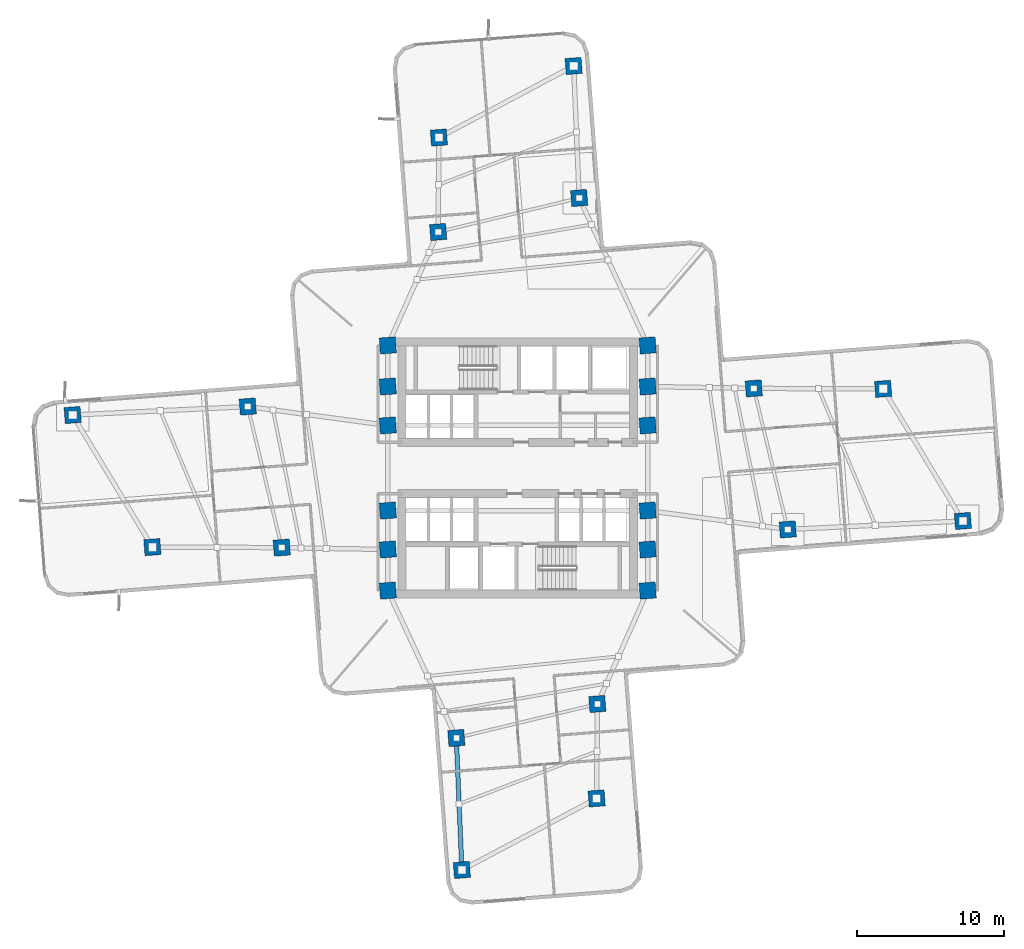
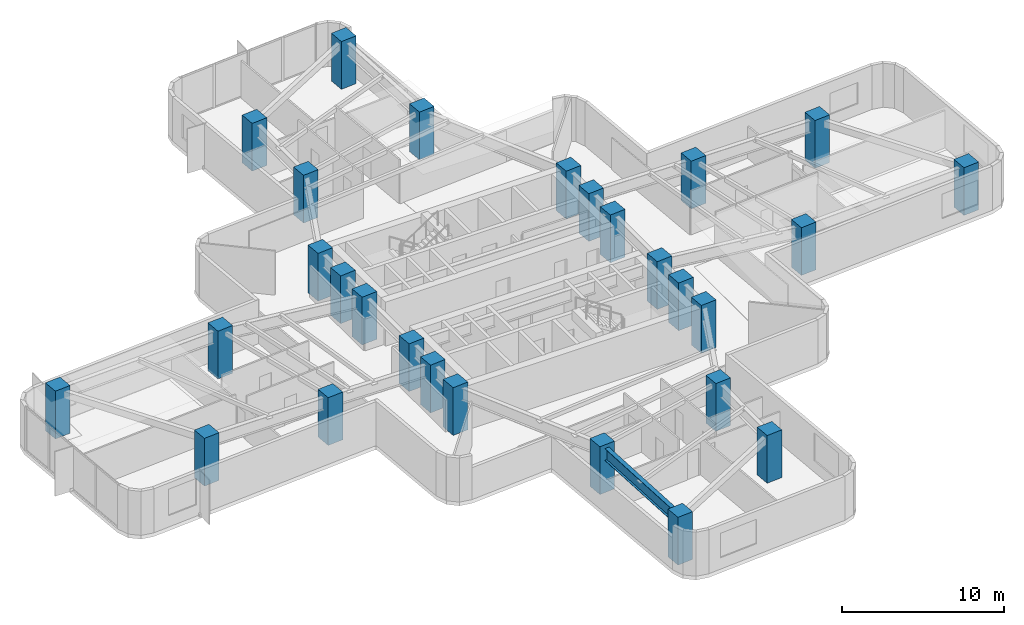
# One storey, part 1 of 15: 28 columns, 1 beam.
"""IFC4 building model written with IfcOpenShell, lengths in metres."""

import ifcopenshell
import ifcopenshell.guid

model = None  # the IFC model being written
_history = None  # IfcOwnerHistory: only IFC2X3 demands one
_inside = {}  # id of a spatial element -> (the spatial element, [elements in it])
_under = {}  # id of a project, library or spatial element -> (it, [spatial elements below it])
_declared = {}  # id of a project -> (the project, [libraries it declares])
_typed = {}  # id of a type object -> (the type object, [elements of that type])
_made_of = {}  # id of a material, layer set ... -> (it, [elements and type objects made of it])


def new_model(schema):
    """Start an empty IFC model of exactly this schema.

    Asked for "IFC4X3", IfcOpenShell would pick the latest addendum, in which some entities
    have other attributes; the version numbers below select the first issue.
    IFC2X3 requires an IfcOwnerHistory on every rooted entity: one is made here for all.
    """
    global model, _history
    if schema == "IFC4X3":
        model = ifcopenshell.file(schema_version=(4, 3, 0, 0))
    else:
        model = ifcopenshell.file(schema=schema)
    _inside.clear()
    _under.clear()
    _declared.clear()
    _typed.clear()
    _made_of.clear()
    _history = None
    if model.schema == "IFC2X3":
        org = make("IfcOrganization", Name="unknown")
        user = make(
            "IfcPersonAndOrganization",
            ThePerson=make("IfcPerson", FamilyName="unknown"),
            TheOrganization=org,
        )
        app = make(
            "IfcApplication",
            ApplicationDeveloper=org,
            Version="unknown",
            ApplicationFullName="unknown",
            ApplicationIdentifier="unknown",
        )
        _history = make(
            "IfcOwnerHistory",
            OwningUser=user,
            OwningApplication=app,
            ChangeAction="ADDED",
            CreationDate=0,
        )
    return model


def make(cls, **values):
    """One entity of the class cls with the attributes given. An attribute that is None is left unset."""
    return model.create_entity(
        cls, **{name: value for name, value in values.items() if value is not None}
    )


def rooted(cls, **values):
    """An entity with a GlobalId (a new one), such as an element, a storey or a relation."""
    return make(cls, GlobalId=ifcopenshell.guid.new(), OwnerHistory=_history, **values)


def si_unit(unit_type, name, prefix=None):
    """IfcSIUnit, for example si_unit("LENGTHUNIT", "METRE", prefix="MILLI")."""
    return make("IfcSIUnit", UnitType=unit_type, Prefix=prefix, Name=name)


def assignment(units):
    """IfcUnitAssignment: the units of a project."""
    return None if units is None else make("IfcUnitAssignment", Units=units)


def point(xyz):
    """IfcCartesianPoint."""
    return None if xyz is None else make("IfcCartesianPoint", Coordinates=xyz)


def direction(xyz):
    """IfcDirection."""
    return None if xyz is None else make("IfcDirection", DirectionRatios=xyz)


def frame(location, z_axis=None, x_axis=None):
    """IfcAxis2Placement3D, a coordinate frame: its origin and axes. An axis left out is left unset."""
    return make(
        "IfcAxis2Placement3D",
        Location=point(location),
        Axis=direction(z_axis),
        RefDirection=direction(x_axis),
    )


def frame_2d(location, x_axis=None):
    """IfcAxis2Placement2D, a coordinate frame in the plane: its origin and x axis."""
    return make(
        "IfcAxis2Placement2D", Location=point(location), RefDirection=direction(x_axis)
    )


def origin():
    """The frame at (0, 0, 0) with its axes left unset."""
    return frame((0.0, 0.0, 0.0))


def origin_2d():
    """The frame at (0, 0) in the plane with its x axis left unset."""
    return frame_2d((0.0, 0.0))


def place(relative_to, where):
    """IfcLocalPlacement: puts the frame where relative to a parent placement (None: the world)."""
    return make(
        "IfcLocalPlacement", PlacementRelTo=relative_to, RelativePlacement=where
    )


def context(
    kind, dimensions, precision=None, world=None, true_north=None, identifier=None
):
    """IfcGeometricRepresentationContext, for example the 3D "Model" context."""
    return make(
        "IfcGeometricRepresentationContext",
        ContextIdentifier=identifier,
        ContextType=kind,
        CoordinateSpaceDimension=dimensions,
        Precision=precision,
        WorldCoordinateSystem=world,
        TrueNorth=true_north,
    )


def subcontext(parent, identifier, kind, view, scale=None):
    """IfcGeometricRepresentationSubContext, for example "Body" below "Model"."""
    return make(
        "IfcGeometricRepresentationSubContext",
        ContextIdentifier=identifier,
        ContextType=kind,
        ParentContext=parent,
        TargetScale=scale,
        TargetView=view,
    )


def project(units=None, contexts=None):
    """IfcProject with its units and contexts."""
    return rooted(
        "IfcProject",
        Name="project",
        RepresentationContexts=contexts,
        UnitsInContext=assignment(units),
    )


def spatial(cls, under=None, at=None, **own):
    """A site, building, storey or space (cls), placed at a placement, below another one or the project."""
    s = rooted(cls, ObjectPlacement=at, **own)
    if under is not None:
        _under.setdefault(under.id(), (under, []))[1].append(s)
    return s


def profile(cls, at=None, kind="AREA", **sizes):
    """A parametric profile (cls). Its sizes go by their IFC names, for example OverallWidth=200.0."""
    return make(cls, ProfileType=kind, Position=at, **sizes)


def rectangle(**sizes):
    """IfcRectangleProfileDef."""
    return profile("IfcRectangleProfileDef", **sizes)


def i_section(**sizes):
    """IfcIShapeProfileDef."""
    return profile("IfcIShapeProfileDef", **sizes)


def extrude(swept, where, along, depth):
    """IfcExtrudedAreaSolid: the profile swept, set in the frame where, extruded along a direction by depth."""
    return make(
        "IfcExtrudedAreaSolid",
        SweptArea=swept,
        Position=where,
        ExtrudedDirection=direction(along),
        Depth=depth,
    )


def shape(context_of_items, identifier, shape_type, items):
    """IfcShapeRepresentation: the items that make up one representation, for example the "Body"."""
    return make(
        "IfcShapeRepresentation",
        ContextOfItems=context_of_items,
        RepresentationIdentifier=identifier,
        RepresentationType=shape_type,
        Items=items,
    )


def material(Name=None, Category=None):
    """IfcMaterial."""
    return make("IfcMaterial", Name=Name, Category=Category)


def material_profile(
    of_material, cross_section, Name=None, Category=None, Priority=None
):
    """IfcMaterialProfile: a cross section and its material."""
    return make(
        "IfcMaterialProfile",
        Name=Name,
        Material=of_material,
        Profile=cross_section,
        Priority=Priority,
        Category=Category,
    )


def profile_set(profiles, Name=None, composite=None):
    """IfcMaterialProfileSet."""
    return make(
        "IfcMaterialProfileSet",
        Name=Name,
        MaterialProfiles=profiles,
        CompositeProfile=composite,
    )


def made_of(thing, what):
    """Note that an element or type object is made of a material, layer set ...; save() writes the relation."""
    if what is not None:
        _made_of.setdefault(what.id(), (what, []))[1].append(thing)
    return thing


def type_object(cls, material=None, **own):
    """A type object (cls), such as IfcWallType, which elements share."""
    return made_of(rooted(cls, **own), material)


def element(
    cls,
    number,
    at=None,
    inside=None,
    cuts=None,
    type_object=None,
    material=None,
    context=None,
    identifier="Body",
    shape_type=None,
    held_by="IfcProductDefinitionShape",
    body=None,
    shapes=None,
    **own,
):
    """One element of the class cls, such as IfcWall. Its Tag is "e" and its number.

    at: its placement. inside: the storey or other place that contains it. cuts: it is an
    opening in that element (IfcRelVoidsElement). A single representation is given by context,
    identifier, shape_type and body (its items); several are given by shapes. held_by: the class
    of the entity that holds the representations. save() writes the other relations.
    """
    e = rooted(cls, Tag="e%d" % number, ObjectPlacement=at, **own)
    if body is not None:
        shapes = [shape(context, identifier, shape_type, body)]
    if shapes is not None:
        e.Representation = make(held_by, Representations=shapes)
    if inside is not None:
        _inside.setdefault(inside.id(), (inside, []))[1].append(e)
    if cuts is not None:
        rooted(
            "IfcRelVoidsElement", RelatingBuildingElement=cuts, RelatedOpeningElement=e
        )
    if type_object is not None:
        _typed.setdefault(type_object.id(), (type_object, []))[1].append(e)
    return made_of(e, material)


def aggregate(whole, parts):
    """IfcRelAggregates: a whole, such as a stair, and the parts it consists of."""
    return rooted("IfcRelAggregates", RelatingObject=whole, RelatedObjects=parts)


def save(model, path):
    """Write the relations noted so far, then the file.

    IfcRelAggregates (storeys below a building ...), IfcRelContainedInSpatialStructure (elements
    in a storey), IfcRelDefinesByType, IfcRelAssociatesMaterial and IfcRelDeclares: one each for
    every whole, place, type object, material and project.
    """
    for whole, parts in _under.values():
        aggregate(whole, parts)
    for where, things in _inside.values():
        rooted(
            "IfcRelContainedInSpatialStructure",
            RelatedElements=things,
            RelatingStructure=where,
        )
    for kind, things in _typed.values():
        rooted("IfcRelDefinesByType", RelatedObjects=things, RelatingType=kind)
    for what, things in _made_of.values():
        rooted("IfcRelAssociatesMaterial", RelatedObjects=things, RelatingMaterial=what)
    for by, libraries in _declared.values():
        rooted("IfcRelDeclares", RelatingContext=by, RelatedDefinitions=libraries)
    model.write(path)


model = new_model("IFC4")

# Units and contexts
model_context = context("Model", 3, precision=1e-05, world=origin(), true_north=direction((0.0, 1.0)))
body_context = subcontext(model_context, "Body", "Model", "MODEL_VIEW")
ifc_project = project(units=[si_unit("LENGTHUNIT", "METRE"), si_unit("AREAUNIT", "SQUARE_METRE"), si_unit("VOLUMEUNIT", "CUBIC_METRE"), si_unit("PLANEANGLEUNIT", "RADIAN"), si_unit("MASSUNIT", "GRAM", prefix="KILO")], contexts=[model_context])

# Site, building, storey
site_placement = place(None, origin())
site = spatial("IfcSite", under=ifc_project, at=site_placement, CompositionType="ELEMENT")
building_placement = place(site_placement, origin())
building = spatial("IfcBuilding", under=site, at=building_placement, Name="Solmarez Civic Tower", CompositionType="ELEMENT")
storey_placement = place(building_placement, frame((0.0, 0.0, 60.47998046875)))
storey = spatial("IfcBuildingStorey", under=building, at=storey_placement, Name="L15", CompositionType="ELEMENT", Elevation=60.47998046875)

# Columns
ifc_material_1 = material(Name="Concrete C60/75", Category="concrete")
ifc_material_profile_1 = material_profile(ifc_material_1, rectangle(XDim=1.10009765625, YDim=1.10009765625, at=origin_2d()), Name="RC1100X1100")
ifc_profile_set_1 = profile_set([ifc_material_profile_1], Name="Concrete C60/75")
column_type = type_object("IfcColumnType", Name="COL-RC1100", PredefinedType="COLUMN", material=ifc_profile_set_1)
for number, where, z_axis, x_axis, name in (
    (1, (-8.85009765625, -5.550048828125, 0.0), (0.0, 0.0, 1.0), (0.997052752227, 0.076719028127, 0.0), "L15 Structural Column HC1"),
    (2, (-8.85009765625, -2.89990234375, 0.0), (0.0, 0.0, 1.0), (0.997052752227, 0.076719028127, 0.0), "L15 Structural Column HC2"),
    (3, (-8.85009765625, 2.89990234375, 0.0), (0.0, 0.0, 1.0), (0.997052752227, 0.076719028127, 0.0), "L15 Structural Column HC3"),
    (4, (-8.85009765625, 5.550048828125, 0.0), (0.0, 0.0, 1.0), (0.997052752227, 0.076719028127, 0.0), "L15 Structural Column HC4"),
    (5, (8.85009765625, -5.550048828125, 0.0), (0.0, 0.0, 1.0), (0.997052752227, 0.076719028127, 0.0), "L15 Structural Column HC5"),
    (6, (8.85009765625, -2.89990234375, 0.0), (0.0, 0.0, 1.0), (0.997052752227, 0.076719028127, 0.0), "L15 Structural Column HC6"),
    (7, (8.85009765625, 2.89990234375, 0.0), (0.0, 0.0, 1.0), (0.997052752227, 0.076719028127, 0.0), "L15 Structural Column HC7"),
    (8, (8.85009765625, 5.550048828125, 0.0), (0.0, 0.0, 1.0), (0.997052752227, 0.076719028127, 0.0), "L15 Structural Column HC8"),
    (9, (-8.85009765625, 8.35009765625, 0.0), (0.0, 0.0, 1.0), (0.997052752227, 0.076719028127, 0.0), "L15 Structural Column HC9"),
    (10, (8.85009765625, -8.35009765625, 0.0), (0.0, 0.0, 1.0), (0.997052752227, 0.076719028127, 0.0), "L15 Structural Column HC10"),
    (11, (8.85009765625, 8.35009765625, 0.0), (0.0, 0.0, 1.0), (0.997052752227, 0.076719028127, 0.0), "L15 Structural Column HC11"),
    (12, (-8.85009765625, -8.35009765625, 0.0), (0.0, 0.0, 1.0), (0.997052752227, 0.076719028127, 0.0), "L15 Structural Column HC12"),
    (13, (18.39111328125, -4.18408203125, 0.0), (0.0, 0.0, 1.0), (0.997052752227, 0.076719028127, 0.0), "L15 Structural Column EA11"),
    (14, (16.075927734375, 5.4208984375, 0.0), (0.0, 0.0, 1.0), (0.997052752227, 0.076719028127, 0.0), "L15 Structural Column EA12"),
    (15, (30.318115234375, -3.60888671875, 0.0), (0.0, 0.0, 1.0), (0.997052752227, 0.076719028127, 0.0), "L15 Structural Column EA21"),
    (16, (24.887939453125, 5.39306640625, 0.0), (0.0, 0.0, 1.0), (0.997052752227, 0.076719028127, 0.0), "L15 Structural Column EA22"),
    (17, (4.18408203125, 18.39111328125, 0.0), (0.0, 0.0, 1.0), (0.997052752227, 0.076719028127, 0.0), "L15 Structural Column NA11"),
    (18, (-5.4208984375, 16.075927734375, 0.0), (0.0, 0.0, 1.0), (0.997052752227, 0.076719028127, 0.0), "L15 Structural Column NA12"),
    (19, (3.806884765625, 27.383056640625, 0.0), (0.0, 0.0, 1.0), (0.997052752227, 0.076719028127, 0.0), "L15 Structural Column NA21"),
    (20, (-5.3720703125, 22.507080078125, 0.0), (0.0, 0.0, 1.0), (0.997052752227, 0.076719028127, 0.0), "L15 Structural Column NA22"),
    (21, (-18.39111328125, 4.18408203125, 0.0), (0.0, 0.0, 1.0), (0.997052752227, 0.076719028127, 0.0), "L15 Structural Column WA11"),
    (22, (-16.075927734375, -5.4208984375, 0.0), (0.0, 0.0, 1.0), (0.997052752227, 0.076719028127, 0.0), "L15 Structural Column WA12"),
    (23, (-30.318115234375, 3.60888671875, 0.0), (0.0, 0.0, 1.0), (0.997052752227, 0.076719028127, 0.0), "L15 Structural Column WA21"),
    (24, (-24.887939453125, -5.39306640625, 0.0), (0.0, 0.0, 1.0), (0.997052752227, 0.076719028127, 0.0), "L15 Structural Column WA22"),
    (25, (-4.18408203125, -18.39111328125, 0.0), (0.0, 0.0, 1.0), (0.997052752227, 0.076719028127, 0.0), "L15 Structural Column SA11"),
    (26, (5.4208984375, -16.075927734375, 0.0), (0.0, 0.0, 1.0), (0.997052752227, 0.076719028127, 0.0), "L15 Structural Column SA12"),
    (27, (-3.806884765625, -27.383056640625, 0.0), (0.0, 0.0, 1.0), (0.997052752227, 0.076719028127, 0.0), "L15 Structural Column SA21"),
    (28, (5.3720703125, -22.507080078125, 0.0), (0.0, 0.0, 1.0), (0.997052752227, 0.076719028127, 0.0), "L15 Structural Column SA22"),
):
    element("IfcColumn", number, at=place(storey_placement, frame(where, z_axis=z_axis, x_axis=x_axis)), inside=storey, type_object=column_type, Name=name, PredefinedType="COLUMN", context=body_context, shape_type="SweptSolid", body=[
        extrude(rectangle(XDim=1.10009765625, YDim=1.10009765625, at=origin_2d()), origin(), (0.0, 0.0, 1.0), 3.60009765625),
    ])

# Beam
ifc_material_2 = material(Name="Steel S355", Category="steel")
ifc_material_profile_2 = material_profile(ifc_material_2, i_section(OverallWidth=0.303955078125, OverallDepth=0.910888671875, WebThickness=0.015869140625, FlangeThickness=0.02392578125, at=origin_2d()), Name="W36X150")
ifc_profile_set_2 = profile_set([ifc_material_profile_2], Name="Steel S355")
beam_type = type_object("IfcBeamType", Name="BM-PR-W36X150", PredefinedType="BEAM", material=ifc_profile_set_2)
beam_placement = place(storey_placement, frame((-4.18408203125, -18.39111328125, 2.864013671875), z_axis=(0.041911499832, -0.999121327058, 0.0), x_axis=(0.999121327058, 0.041911499832, 0.0)))
element("IfcBeam", 29, at=beam_placement, inside=storey, type_object=beam_type, Name="L15 Primary Floor Beam BM-L15-SA-R2A", PredefinedType="BEAM", context=body_context, shape_type="SweptSolid", body=[
    extrude(i_section(OverallWidth=0.303955078125, OverallDepth=0.910888671875, WebThickness=0.015869140625, FlangeThickness=0.02392578125, at=origin_2d()), origin(), (0.0, 0.0, 1.0), 8.999755859375),
])

save(model, "model.ifc")
